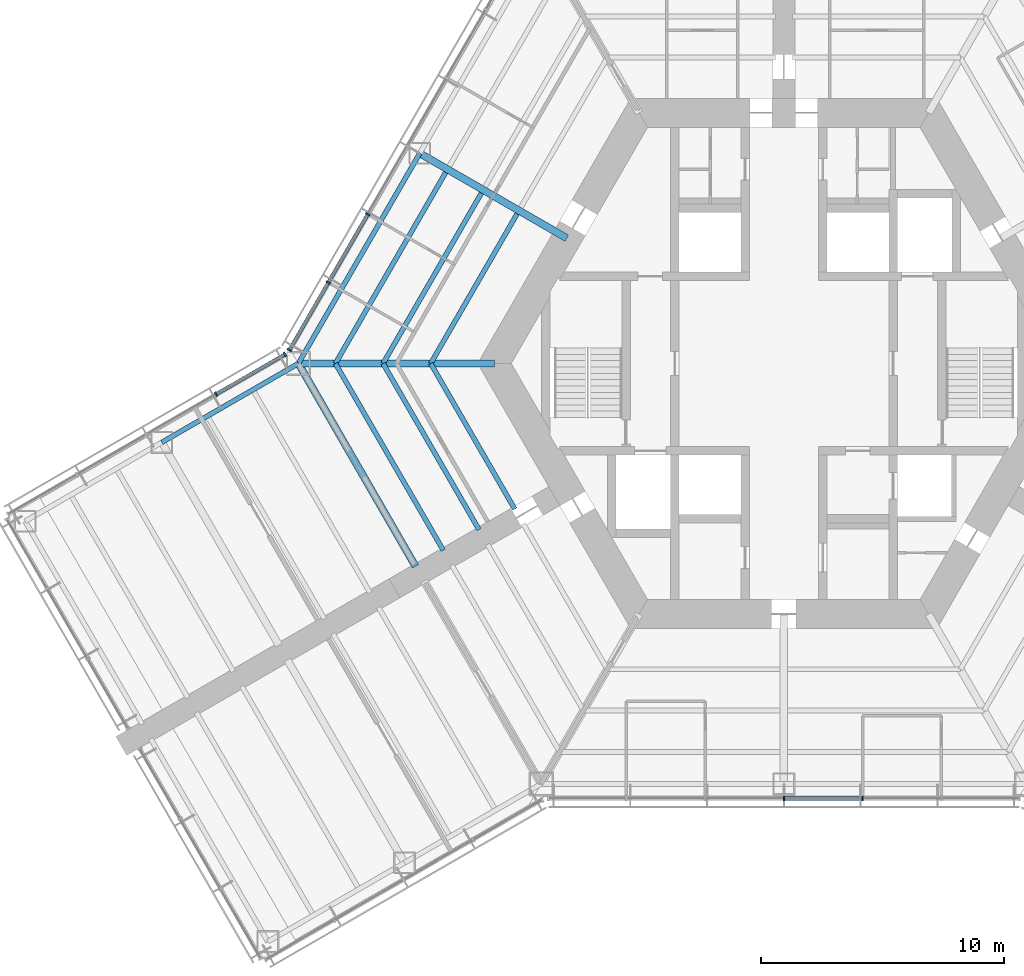
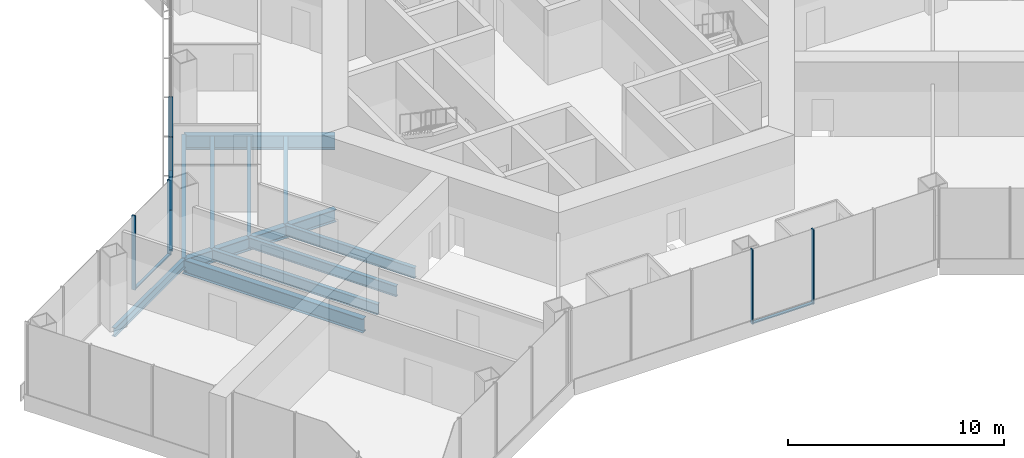
# One storey, part 3 of 17: 11 beams, 11 members, 3 elements without a shape of their own.
"""IFC4 building model written with IfcOpenShell, lengths in metres."""

import ifcopenshell
import ifcopenshell.guid

model = None  # the IFC model being written
_history = None  # IfcOwnerHistory: only IFC2X3 demands one
_inside = {}  # id of a spatial element -> (the spatial element, [elements in it])
_under = {}  # id of a project, library or spatial element -> (it, [spatial elements below it])
_declared = {}  # id of a project -> (the project, [libraries it declares])
_typed = {}  # id of a type object -> (the type object, [elements of that type])
_made_of = {}  # id of a material, layer set ... -> (it, [elements and type objects made of it])


def new_model(schema):
    """Start an empty IFC model of exactly this schema.

    Asked for "IFC4X3", IfcOpenShell would pick the latest addendum, in which some entities
    have other attributes; the version numbers below select the first issue.
    IFC2X3 requires an IfcOwnerHistory on every rooted entity: one is made here for all.
    """
    global model, _history
    if schema == "IFC4X3":
        model = ifcopenshell.file(schema_version=(4, 3, 0, 0))
    else:
        model = ifcopenshell.file(schema=schema)
    _inside.clear()
    _under.clear()
    _declared.clear()
    _typed.clear()
    _made_of.clear()
    _history = None
    if model.schema == "IFC2X3":
        org = make("IfcOrganization", Name="unknown")
        user = make(
            "IfcPersonAndOrganization",
            ThePerson=make("IfcPerson", FamilyName="unknown"),
            TheOrganization=org,
        )
        app = make(
            "IfcApplication",
            ApplicationDeveloper=org,
            Version="unknown",
            ApplicationFullName="unknown",
            ApplicationIdentifier="unknown",
        )
        _history = make(
            "IfcOwnerHistory",
            OwningUser=user,
            OwningApplication=app,
            ChangeAction="ADDED",
            CreationDate=0,
        )
    return model


def make(cls, **values):
    """One entity of the class cls with the attributes given. An attribute that is None is left unset."""
    return model.create_entity(
        cls, **{name: value for name, value in values.items() if value is not None}
    )


def rooted(cls, **values):
    """An entity with a GlobalId (a new one), such as an element, a storey or a relation."""
    return make(cls, GlobalId=ifcopenshell.guid.new(), OwnerHistory=_history, **values)


def si_unit(unit_type, name, prefix=None):
    """IfcSIUnit, for example si_unit("LENGTHUNIT", "METRE", prefix="MILLI")."""
    return make("IfcSIUnit", UnitType=unit_type, Prefix=prefix, Name=name)


def assignment(units):
    """IfcUnitAssignment: the units of a project."""
    return None if units is None else make("IfcUnitAssignment", Units=units)


def point(xyz):
    """IfcCartesianPoint."""
    return None if xyz is None else make("IfcCartesianPoint", Coordinates=xyz)


def direction(xyz):
    """IfcDirection."""
    return None if xyz is None else make("IfcDirection", DirectionRatios=xyz)


def frame(location, z_axis=None, x_axis=None):
    """IfcAxis2Placement3D, a coordinate frame: its origin and axes. An axis left out is left unset."""
    return make(
        "IfcAxis2Placement3D",
        Location=point(location),
        Axis=direction(z_axis),
        RefDirection=direction(x_axis),
    )


def frame_2d(location, x_axis=None):
    """IfcAxis2Placement2D, a coordinate frame in the plane: its origin and x axis."""
    return make(
        "IfcAxis2Placement2D", Location=point(location), RefDirection=direction(x_axis)
    )


def origin():
    """The frame at (0, 0, 0) with its axes left unset."""
    return frame((0.0, 0.0, 0.0))


def origin_2d():
    """The frame at (0, 0) in the plane with its x axis left unset."""
    return frame_2d((0.0, 0.0))


def place(relative_to, where):
    """IfcLocalPlacement: puts the frame where relative to a parent placement (None: the world)."""
    return make(
        "IfcLocalPlacement", PlacementRelTo=relative_to, RelativePlacement=where
    )


def context(
    kind, dimensions, precision=None, world=None, true_north=None, identifier=None
):
    """IfcGeometricRepresentationContext, for example the 3D "Model" context."""
    return make(
        "IfcGeometricRepresentationContext",
        ContextIdentifier=identifier,
        ContextType=kind,
        CoordinateSpaceDimension=dimensions,
        Precision=precision,
        WorldCoordinateSystem=world,
        TrueNorth=true_north,
    )


def subcontext(parent, identifier, kind, view, scale=None):
    """IfcGeometricRepresentationSubContext, for example "Body" below "Model"."""
    return make(
        "IfcGeometricRepresentationSubContext",
        ContextIdentifier=identifier,
        ContextType=kind,
        ParentContext=parent,
        TargetScale=scale,
        TargetView=view,
    )


def project(units=None, contexts=None):
    """IfcProject with its units and contexts."""
    return rooted(
        "IfcProject",
        Name="project",
        RepresentationContexts=contexts,
        UnitsInContext=assignment(units),
    )


def spatial(cls, under=None, at=None, **own):
    """A site, building, storey or space (cls), placed at a placement, below another one or the project."""
    s = rooted(cls, ObjectPlacement=at, **own)
    if under is not None:
        _under.setdefault(under.id(), (under, []))[1].append(s)
    return s


def profile(cls, at=None, kind="AREA", **sizes):
    """A parametric profile (cls). Its sizes go by their IFC names, for example OverallWidth=200.0."""
    return make(cls, ProfileType=kind, Position=at, **sizes)


def rectangle(**sizes):
    """IfcRectangleProfileDef."""
    return profile("IfcRectangleProfileDef", **sizes)


def i_section(**sizes):
    """IfcIShapeProfileDef."""
    return profile("IfcIShapeProfileDef", **sizes)


def extrude(swept, where, along, depth):
    """IfcExtrudedAreaSolid: the profile swept, set in the frame where, extruded along a direction by depth."""
    return make(
        "IfcExtrudedAreaSolid",
        SweptArea=swept,
        Position=where,
        ExtrudedDirection=direction(along),
        Depth=depth,
    )


def shape(context_of_items, identifier, shape_type, items):
    """IfcShapeRepresentation: the items that make up one representation, for example the "Body"."""
    return make(
        "IfcShapeRepresentation",
        ContextOfItems=context_of_items,
        RepresentationIdentifier=identifier,
        RepresentationType=shape_type,
        Items=items,
    )


def material(Name=None, Category=None):
    """IfcMaterial."""
    return make("IfcMaterial", Name=Name, Category=Category)


def material_profile(
    of_material, cross_section, Name=None, Category=None, Priority=None
):
    """IfcMaterialProfile: a cross section and its material."""
    return make(
        "IfcMaterialProfile",
        Name=Name,
        Material=of_material,
        Profile=cross_section,
        Priority=Priority,
        Category=Category,
    )


def profile_set(profiles, Name=None, composite=None):
    """IfcMaterialProfileSet."""
    return make(
        "IfcMaterialProfileSet",
        Name=Name,
        MaterialProfiles=profiles,
        CompositeProfile=composite,
    )


def made_of(thing, what):
    """Note that an element or type object is made of a material, layer set ...; save() writes the relation."""
    if what is not None:
        _made_of.setdefault(what.id(), (what, []))[1].append(thing)
    return thing


def type_object(cls, material=None, **own):
    """A type object (cls), such as IfcWallType, which elements share."""
    return made_of(rooted(cls, **own), material)


def element(
    cls,
    number,
    at=None,
    inside=None,
    cuts=None,
    type_object=None,
    material=None,
    context=None,
    identifier="Body",
    shape_type=None,
    held_by="IfcProductDefinitionShape",
    body=None,
    shapes=None,
    **own,
):
    """One element of the class cls, such as IfcWall. Its Tag is "e" and its number.

    at: its placement. inside: the storey or other place that contains it. cuts: it is an
    opening in that element (IfcRelVoidsElement). A single representation is given by context,
    identifier, shape_type and body (its items); several are given by shapes. held_by: the class
    of the entity that holds the representations. save() writes the other relations.
    """
    e = rooted(cls, Tag="e%d" % number, ObjectPlacement=at, **own)
    if body is not None:
        shapes = [shape(context, identifier, shape_type, body)]
    if shapes is not None:
        e.Representation = make(held_by, Representations=shapes)
    if inside is not None:
        _inside.setdefault(inside.id(), (inside, []))[1].append(e)
    if cuts is not None:
        rooted(
            "IfcRelVoidsElement", RelatingBuildingElement=cuts, RelatedOpeningElement=e
        )
    if type_object is not None:
        _typed.setdefault(type_object.id(), (type_object, []))[1].append(e)
    return made_of(e, material)


def aggregate(whole, parts):
    """IfcRelAggregates: a whole, such as a stair, and the parts it consists of."""
    return rooted("IfcRelAggregates", RelatingObject=whole, RelatedObjects=parts)


def save(model, path):
    """Write the relations noted so far, then the file.

    IfcRelAggregates (storeys below a building ...), IfcRelContainedInSpatialStructure (elements
    in a storey), IfcRelDefinesByType, IfcRelAssociatesMaterial and IfcRelDeclares: one each for
    every whole, place, type object, material and project.
    """
    for whole, parts in _under.values():
        aggregate(whole, parts)
    for where, things in _inside.values():
        rooted(
            "IfcRelContainedInSpatialStructure",
            RelatedElements=things,
            RelatingStructure=where,
        )
    for kind, things in _typed.values():
        rooted("IfcRelDefinesByType", RelatedObjects=things, RelatingType=kind)
    for what, things in _made_of.values():
        rooted("IfcRelAssociatesMaterial", RelatedObjects=things, RelatingMaterial=what)
    for by, libraries in _declared.values():
        rooted("IfcRelDeclares", RelatingContext=by, RelatedDefinitions=libraries)
    model.write(path)


model = new_model("IFC4")

# Units and contexts
model_context = context("Model", 3, precision=1e-05, world=origin(), true_north=direction((0.0, 1.0)))
body_context = subcontext(model_context, "Body", "Model", "MODEL_VIEW")
ifc_project = project(units=[si_unit("LENGTHUNIT", "METRE"), si_unit("AREAUNIT", "SQUARE_METRE"), si_unit("VOLUMEUNIT", "CUBIC_METRE"), si_unit("PLANEANGLEUNIT", "RADIAN"), si_unit("MASSUNIT", "GRAM", prefix="KILO")], contexts=[model_context])

# Site, building, storey
site_placement = place(None, origin())
site = spatial("IfcSite", under=ifc_project, at=site_placement, CompositionType="ELEMENT")
building_placement = place(site_placement, origin())
building = spatial("IfcBuilding", under=site, at=building_placement, Name="Kasaneha Research Tower", CompositionType="ELEMENT")
storey_placement = place(building_placement, frame((0.0, 0.0, 47.800048828125)))
storey = spatial("IfcBuildingStorey", under=building, at=storey_placement, Name="L12", CompositionType="ELEMENT", Elevation=47.800048828125)

# Beams
ifc_material_1 = material(Name="Steel SN490B", Category="steel")
ifc_material_profile_1 = material_profile(ifc_material_1, i_section(OverallWidth=0.199951171875, OverallDepth=0.60009765625, WebThickness=0.010986328125, FlangeThickness=0.01708984375, FilletRadius=0.012939453125, at=origin_2d()), Name="H-600x200x11x17")
ifc_profile_set_1 = profile_set([ifc_material_profile_1], Name="Steel SN490B")
beam_type_1 = type_object("IfcBeamType", Name="B1-2 secondary beam H-600x200x11x17", PredefinedType="JOIST", material=ifc_profile_set_1)
beam_1_placement = place(storey_placement, frame((-14.54931640625, 0.0, -0.469970703125), z_axis=(0.500016104636, 0.866016105569, 0.0), x_axis=(-0.866016105569, 0.500016104636, 0.0)))
element("IfcBeam", 1, at=beam_1_placement, inside=storey, type_object=beam_type_1, Name="Secondary beam RS150R1 L12", PredefinedType="JOIST", context=body_context, shape_type="SweptSolid", body=[
    extrude(i_section(OverallWidth=0.199951171875, OverallDepth=0.60009765625, WebThickness=0.010986328125, FlangeThickness=0.01708984375, FilletRadius=0.012939453125, at=origin_2d()), origin(), (0.0, 0.0, 1.0), 7.124755859375),
])
beam_2_placement = place(storey_placement, frame((-16.51220703125, 0.0, -0.469970703125), z_axis=(0.49999707157, 0.866027094508, 0.0), x_axis=(-0.866027094508, 0.49999707157, 0.0)))
element("IfcBeam", 2, at=beam_2_placement, inside=storey, type_object=beam_type_1, Name="Secondary beam RS150R2 L12", PredefinedType="JOIST", context=body_context, shape_type="SweptSolid", body=[
    extrude(i_section(OverallWidth=0.199951171875, OverallDepth=0.60009765625, WebThickness=0.010986328125, FlangeThickness=0.01708984375, FilletRadius=0.012939453125, at=origin_2d()), origin(), (0.0, 0.0, 1.0), 8.10595703125),
])
beam_3_placement = place(storey_placement, frame((-18.47509765625, 0.0, -0.469970703125), z_axis=(0.499990665392, 0.866030793056, 0.0), x_axis=(-0.866030793056, 0.499990665392, 0.0)))
element("IfcBeam", 3, at=beam_3_placement, inside=storey, type_object=beam_type_1, Name="Secondary beam RS150R3 L12", PredefinedType="JOIST", context=body_context, shape_type="SweptSolid", body=[
    extrude(i_section(OverallWidth=0.199951171875, OverallDepth=0.60009765625, WebThickness=0.010986328125, FlangeThickness=0.01708984375, FilletRadius=0.012939453125, at=origin_2d()), origin(), (0.0, 0.0, 1.0), 9.087646484375),
])
beam_4_placement = place(storey_placement, frame((-14.54931640625, 0.0, -0.469970703125), z_axis=(0.500014420154, -0.866017078145, 0.0), x_axis=(0.866017078145, 0.500014420154, 0.0)))
element("IfcBeam", 4, at=beam_4_placement, inside=storey, type_object=beam_type_1, Name="Secondary beam RS210L1 L12", PredefinedType="JOIST", context=body_context, shape_type="SweptSolid", body=[
    extrude(i_section(OverallWidth=0.199951171875, OverallDepth=0.60009765625, WebThickness=0.010986328125, FlangeThickness=0.01708984375, FilletRadius=0.012939453125, at=origin_2d()), origin(), (0.0, 0.0, 1.0), 6.924560546875),
])
beam_5_placement = place(storey_placement, frame((-16.51220703125, 0.0, -0.469970703125), z_axis=(0.500004902938, -0.866022573054, 0.0), x_axis=(0.866022573054, 0.500004902938, 0.0)))
element("IfcBeam", 5, at=beam_5_placement, inside=storey, type_object=beam_type_1, Name="Secondary beam RS210L2 L12", PredefinedType="JOIST", context=body_context, shape_type="SweptSolid", body=[
    extrude(i_section(OverallWidth=0.199951171875, OverallDepth=0.60009765625, WebThickness=0.010986328125, FlangeThickness=0.01708984375, FilletRadius=0.012939453125, at=origin_2d()), origin(), (0.0, 0.0, 1.0), 7.90625),
])
beam_6_placement = place(storey_placement, frame((-18.47509765625, 0.0, -0.469970703125), z_axis=(0.499988779951, -0.866031881586, 0.0), x_axis=(0.866031881586, 0.499988779951, 0.0)))
element("IfcBeam", 6, at=beam_6_placement, inside=storey, type_object=beam_type_1, Name="Secondary beam RS210L3 L12", PredefinedType="JOIST", context=body_context, shape_type="SweptSolid", body=[
    extrude(i_section(OverallWidth=0.199951171875, OverallDepth=0.60009765625, WebThickness=0.010986328125, FlangeThickness=0.01708984375, FilletRadius=0.012939453125, at=origin_2d()), origin(), (0.0, 0.0, 1.0), 8.887451171875),
])

# Curtain wall, members
ifc_material_2 = material(Name="Glass and aluminium", Category="aluminium")
curtain_wall_type = type_object("IfcCurtainWallType", Name="Dry laboratory curtain wall", PredefinedType="USERDEFINED", material=ifc_material_2)
curtain_wall_1_placement = place(storey_placement, origin())
curtain_wall_1 = element("IfcCurtainWall", 7, at=curtain_wall_1_placement, inside=storey, type_object=curtain_wall_type, Name="CW-L2 L12 run 02a", ObjectType="UNITISED CURTAIN WALL", PredefinedType="USERDEFINED")
ifc_material_3 = material(Name="Aluminium 6063-T6", Category="aluminium")
ifc_material_profile_2 = material_profile(ifc_material_3, rectangle(XDim=0.06494140625, YDim=0.199951171875, at=origin_2d()), Name="CW-L2 mullion 65x200")
ifc_profile_set_2 = profile_set([ifc_material_profile_2], Name="Aluminium 6063-T6")
member_type_1 = type_object("IfcMemberType", Name="CW-L2 mullion", PredefinedType="MULLION", material=ifc_profile_set_2)
member_1_placement = place(storey_placement, frame((0.0, -17.92041015625, 0.0), z_axis=(0.0, 0.0, 1.0), x_axis=(1.0, 0.0, 0.0)))
member_1 = element("IfcMember", 8, at=member_1_placement, type_object=member_type_1, Name="CW-L2 mullion 4", PredefinedType="MULLION", context=body_context, shape_type="SweptSolid", body=[
    extrude(rectangle(XDim=0.06494140625, YDim=0.199951171875, at=origin_2d()), origin(), (0.0, 0.0, 1.0), 4.199951171875),
])
member_2_placement = place(storey_placement, frame((3.246337890625, -17.92041015625, 0.0), z_axis=(0.0, 0.0, 1.0), x_axis=(1.0, 0.0, 0.0)))
member_2 = element("IfcMember", 9, at=member_2_placement, type_object=member_type_1, Name="CW-L2 mullion 5", PredefinedType="MULLION", context=body_context, shape_type="SweptSolid", body=[
    extrude(rectangle(XDim=0.06494140625, YDim=0.199951171875, at=origin_2d()), origin(), (0.0, 0.0, 1.0), 4.199951171875),
])

curtain_wall_2_placement = place(storey_placement, origin())
curtain_wall_2 = element("IfcCurtainWall", 10, at=curtain_wall_2_placement, inside=storey, type_object=curtain_wall_type, Name="CW-L2 L12 run 12a", ObjectType="UNITISED CURTAIN WALL", PredefinedType="USERDEFINED")
member_3_placement = place(storey_placement, frame((-17.142822265625, 6.148681640625, 0.0), z_axis=(0.0, 0.0, 1.0), x_axis=(-0.49999996188, -0.866025425793, 0.0)))
member_3 = element("IfcMember", 11, at=member_3_placement, type_object=member_type_1, Name="CW-L2 mullion 5", PredefinedType="MULLION", context=body_context, shape_type="SweptSolid", body=[
    extrude(rectangle(XDim=0.06494140625, YDim=0.199951171875, at=origin_2d()), origin(), (0.0, 0.0, 1.0), 4.199951171875),
])
member_4_placement = place(storey_placement, frame((-18.76611328125, 3.33740234375, 0.0), z_axis=(0.0, 0.0, 1.0), x_axis=(-0.49999996188, -0.866025425793, 0.0)))
member_4 = element("IfcMember", 12, at=member_4_placement, type_object=member_type_1, Name="CW-L2 mullion 6", PredefinedType="MULLION", context=body_context, shape_type="SweptSolid", body=[
    extrude(rectangle(XDim=0.06494140625, YDim=0.199951171875, at=origin_2d()), origin(), (0.0, 0.0, 1.0), 4.199951171875),
])
member_5_placement = place(storey_placement, frame((-20.373046875, 0.553955078125, 0.0), z_axis=(0.0, 0.0, 1.0), x_axis=(-0.49999996188, -0.866025425793, 0.0)))
member_5 = element("IfcMember", 13, at=member_5_placement, type_object=member_type_1, Name="CW-L2 mullion 7", PredefinedType="MULLION", context=body_context, shape_type="SweptSolid", body=[
    extrude(rectangle(XDim=0.06494140625, YDim=0.199951171875, at=origin_2d()), origin(), (0.0, 0.0, 1.0), 4.199951171875),
])

curtain_wall_3_placement = place(storey_placement, origin())
curtain_wall_3 = element("IfcCurtainWall", 14, at=curtain_wall_3_placement, inside=storey, type_object=curtain_wall_type, Name="CW-L2 L12 run 13a", ObjectType="UNITISED CURTAIN WALL", PredefinedType="USERDEFINED")
member_6_placement = place(storey_placement, frame((-20.553955078125, 0.373046875, 0.0), z_axis=(0.0, 0.0, 1.0), x_axis=(-0.866025411464, -0.499999986699, 0.0)))
member_6 = element("IfcMember", 15, at=member_6_placement, type_object=member_type_1, Name="CW-L2 mullion 1", PredefinedType="MULLION", context=body_context, shape_type="SweptSolid", body=[
    extrude(rectangle(XDim=0.06494140625, YDim=0.199951171875, at=origin_2d()), origin(), (0.0, 0.0, 1.0), 4.199951171875),
])
member_7_placement = place(storey_placement, frame((-23.39208984375, -1.265625, 0.0), z_axis=(0.0, 0.0, 1.0), x_axis=(-0.866025411464, -0.499999986699, 0.0)))
member_7 = element("IfcMember", 16, at=member_7_placement, type_object=member_type_1, Name="CW-L2 mullion 2", PredefinedType="MULLION", context=body_context, shape_type="SweptSolid", body=[
    extrude(rectangle(XDim=0.06494140625, YDim=0.199951171875, at=origin_2d()), origin(), (0.0, 0.0, 1.0), 4.199951171875),
])

# Member
ifc_material_4 = material(Name="Aluminium 6063-T6", Category="aluminium")
ifc_material_profile_3 = material_profile(ifc_material_4, rectangle(XDim=0.14990234375, YDim=0.06494140625, at=origin_2d()), Name="CW-L2 transom 150x65")
ifc_profile_set_3 = profile_set([ifc_material_profile_3], Name="Aluminium 6063-T6")
member_type_2 = type_object("IfcMemberType", Name="CW-L2 transom", PredefinedType="USERDEFINED", material=ifc_profile_set_3)
member_8_placement = place(storey_placement, frame((0.032470703125, -17.92041015625, 0.032470703125), z_axis=(1.0, 0.0, 0.0), x_axis=(0.0, 1.0, 0.0)))
member_8 = element("IfcMember", 17, at=member_8_placement, type_object=member_type_2, Name="CW-L2 transom 4", ObjectType="TRANSOM", PredefinedType="USERDEFINED", context=body_context, shape_type="SweptSolid", body=[
    extrude(rectangle(XDim=0.14990234375, YDim=0.06494140625, at=origin_2d()), origin(), (0.0, 0.0, 1.0), 3.181396484375),
])

aggregate(curtain_wall_1, [member_1, member_2, member_8])

member_9_placement = place(storey_placement, frame((-17.1591796875, 6.12060546875, 0.032470703125), z_axis=(-0.499977104415, -0.866038622153, 0.0), x_axis=(0.866038622153, -0.499977104415, 0.0)))
member_9 = element("IfcMember", 18, at=member_9_placement, type_object=member_type_2, Name="CW-L2 transom 5", ObjectType="TRANSOM", PredefinedType="USERDEFINED", context=body_context, shape_type="SweptSolid", body=[
    extrude(rectangle(XDim=0.14990234375, YDim=0.06494140625, at=origin_2d()), origin(), (0.0, 0.0, 1.0), 3.181396484375),
])

member_10_placement = place(storey_placement, frame((-18.7822265625, 3.30908203125, 0.032470703125), z_axis=(-0.49999985423, -0.866025487945, 0.0), x_axis=(0.866025487945, -0.49999985423, 0.0)))
member_10 = element("IfcMember", 19, at=member_10_placement, type_object=member_type_2, Name="CW-L2 transom 6", ObjectType="TRANSOM", PredefinedType="USERDEFINED", context=body_context, shape_type="SweptSolid", body=[
    extrude(rectangle(XDim=0.14990234375, YDim=0.06494140625, at=origin_2d()), origin(), (0.0, 0.0, 1.0), 3.14892578125),
])

aggregate(curtain_wall_2, [member_3, member_4, member_5, member_9, member_10])

member_11_placement = place(storey_placement, frame((-20.58203125, 0.356689453125, 0.032470703125), z_axis=(-0.866022320763, -0.500005339912, 0.0), x_axis=(0.500005339912, -0.866022320763, 0.0)))
member_11 = element("IfcMember", 20, at=member_11_placement, type_object=member_type_2, Name="CW-L2 transom 1", ObjectType="TRANSOM", PredefinedType="USERDEFINED", context=body_context, shape_type="SweptSolid", body=[
    extrude(rectangle(XDim=0.14990234375, YDim=0.06494140625, at=origin_2d()), origin(), (0.0, 0.0, 1.0), 3.21240234375),
])

aggregate(curtain_wall_3, [member_6, member_7, member_11])

# Beams
ifc_material_5 = material(Name="Steel SN490B", Category="steel")
ifc_material_profile_4 = material_profile(ifc_material_5, i_section(OverallWidth=0.300048828125, OverallDepth=0.699951171875, WebThickness=0.012939453125, FlangeThickness=0.02392578125, FilletRadius=0.01806640625, at=origin_2d()), Name="H-700x300x13x24")
ifc_profile_set_4 = profile_set([ifc_material_profile_4], Name="Steel SN490B")
beam_type_2 = type_object("IfcBeamType", Name="G1-2 radial girder H-700x300x13x24", PredefinedType="BEAM", material=ifc_profile_set_4)
beam_7_placement = place(storey_placement, frame((-11.92236328125, 0.0, -0.52001953125), z_axis=(-1.0, 0.0, 0.0), x_axis=(0.0, -1.0, 0.0)))
element("IfcBeam", 21, at=beam_7_placement, inside=storey, type_object=beam_type_2, Name="Radial girder RV180 L12", PredefinedType="BEAM", context=body_context, shape_type="SweptSolid", body=[
    extrude(i_section(OverallWidth=0.300048828125, OverallDepth=0.699951171875, WebThickness=0.012939453125, FlangeThickness=0.02392578125, FilletRadius=0.01806640625, at=origin_2d()), origin(), (0.0, 0.0, 1.0), 8.07763671875),
])
ifc_material_6 = material(Name="Steel SN490B", Category="steel")
ifc_material_profile_5 = material_profile(ifc_material_6, i_section(OverallWidth=0.300048828125, OverallDepth=0.800048828125, WebThickness=0.013916015625, FlangeThickness=0.02587890625, FilletRadius=0.01806640625, at=origin_2d()), Name="H-800x300x14x26")
ifc_profile_set_5 = profile_set([ifc_material_profile_5], Name="Steel SN490B")
beam_type_3 = type_object("IfcBeamType", Name="G2-2 radial girder H-800x300x14x26", PredefinedType="BEAM", material=ifc_profile_set_5)
beam_8_placement = place(storey_placement, frame((-8.941650390625, 5.16259765625, -0.570068359375), z_axis=(-0.866039713508, 0.499975214012, 0.0), x_axis=(-0.499975214012, -0.866039713508, 0.0)))
element("IfcBeam", 22, at=beam_8_placement, inside=storey, type_object=beam_type_3, Name="Radial girder RM150 L12", PredefinedType="BEAM", context=body_context, shape_type="SweptSolid", body=[
    extrude(i_section(OverallWidth=0.300048828125, OverallDepth=0.800048828125, WebThickness=0.013916015625, FlangeThickness=0.02587890625, FilletRadius=0.01806640625, at=origin_2d()), origin(), (0.0, 0.0, 1.0), 6.995361328125),
])
ifc_material_7 = material(Name="Steel SN490B", Category="steel")
ifc_material_profile_6 = material_profile(ifc_material_7, i_section(OverallWidth=0.300048828125, OverallDepth=0.7919921875, WebThickness=0.013916015625, FlangeThickness=0.02197265625, FilletRadius=0.01806640625, at=origin_2d()), Name="H-792x300x14x22")
ifc_profile_set_6 = profile_set([ifc_material_profile_6], Name="Steel SN490B")
beam_type_4 = type_object("IfcBeamType", Name="G3-2 plate edge girder H-792x300x14x22", PredefinedType="BEAM", material=ifc_profile_set_6)
beam_9_placement = place(storey_placement, frame((-20.0, 0.0, -0.566162109375), z_axis=(0.499994742786, -0.866028439017, 0.0), x_axis=(0.866028439017, 0.499994742786, 0.0)))
element("IfcBeam", 23, at=beam_9_placement, inside=storey, type_object=beam_type_4, Name="Plate edge girder PEBP L12", PredefinedType="BEAM", context=body_context, shape_type="SweptSolid", body=[
    extrude(i_section(OverallWidth=0.300048828125, OverallDepth=0.7919921875, WebThickness=0.013916015625, FlangeThickness=0.02197265625, FilletRadius=0.01806640625, at=origin_2d()), origin(), (0.0, 0.0, 1.0), 9.64990234375),
])
ifc_material_8 = material(Name="Steel SN490B", Category="steel")
ifc_material_profile_7 = material_profile(ifc_material_8, i_section(OverallWidth=0.199951171875, OverallDepth=0.60009765625, WebThickness=0.010986328125, FlangeThickness=0.01708984375, FilletRadius=0.012939453125, at=origin_2d()), Name="H-600x200x11x17")
ifc_profile_set_7 = profile_set([ifc_material_profile_7], Name="Steel SN490B")
beam_type_5 = type_object("IfcBeamType", Name="SB1-2 spandrel beam H-600x200x11x17", PredefinedType="SPANDREL", material=ifc_profile_set_7)
beam_10_placement = place(storey_placement, frame((-20.0, 0.0, -0.469970703125), z_axis=(0.500004234368, 0.866022959057, 0.0), x_axis=(-0.866022959057, 0.500004234368, 0.0)))
element("IfcBeam", 24, at=beam_10_placement, inside=storey, type_object=beam_type_5, Name="Spandrel beam SR150R L12", PredefinedType="SPANDREL", context=body_context, shape_type="SweptSolid", body=[
    extrude(i_section(OverallWidth=0.199951171875, OverallDepth=0.60009765625, WebThickness=0.010986328125, FlangeThickness=0.01708984375, FilletRadius=0.012939453125, at=origin_2d()), origin(), (0.0, 0.0, 1.0), 10.0),
])
ifc_material_9 = material(Name="Steel SN490B", Category="steel")
ifc_material_profile_8 = material_profile(ifc_material_9, i_section(OverallWidth=0.199951171875, OverallDepth=0.5, WebThickness=0.010009765625, FlangeThickness=0.01611328125, FilletRadius=0.012939453125, at=origin_2d()), Name="H-500x200x10x16")
ifc_profile_set_8 = profile_set([ifc_material_profile_8], Name="Steel SN490B")
beam_type_6 = type_object("IfcBeamType", Name="SB2-2 spandrel beam H-500x200x10x16", PredefinedType="SPANDREL", material=ifc_profile_set_8)
beam_11_placement = place(storey_placement, frame((-20.0, 0.0, -0.420166015625), z_axis=(-0.866024837091, -0.50000098154, 0.0), x_axis=(0.50000098154, -0.866024837091, 0.0)))
element("IfcBeam", 25, at=beam_11_placement, inside=storey, type_object=beam_type_6, Name="Spandrel beam WSBP1 L12", PredefinedType="SPANDREL", context=body_context, shape_type="SweptSolid", body=[
    extrude(i_section(OverallWidth=0.199951171875, OverallDepth=0.5, WebThickness=0.010009765625, FlangeThickness=0.01611328125, FilletRadius=0.012939453125, at=origin_2d()), origin(), (0.0, 0.0, 1.0), 6.5),
])

save(model, "model.ifc")
